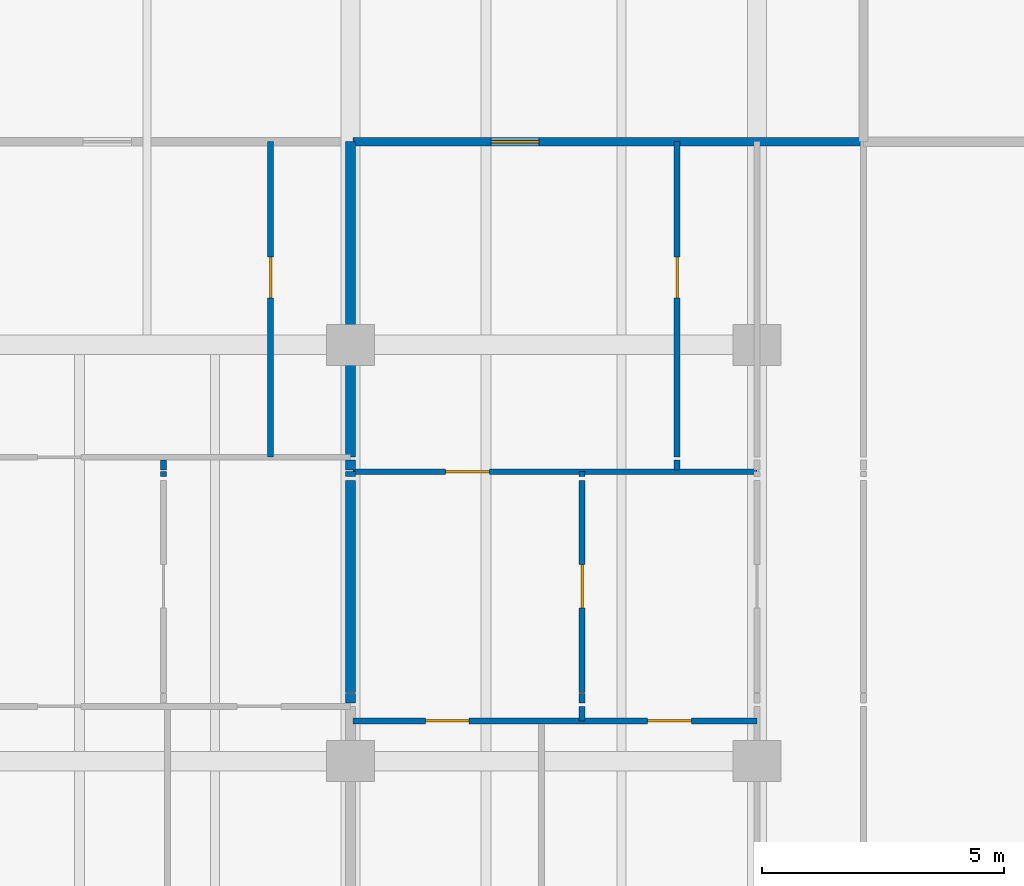
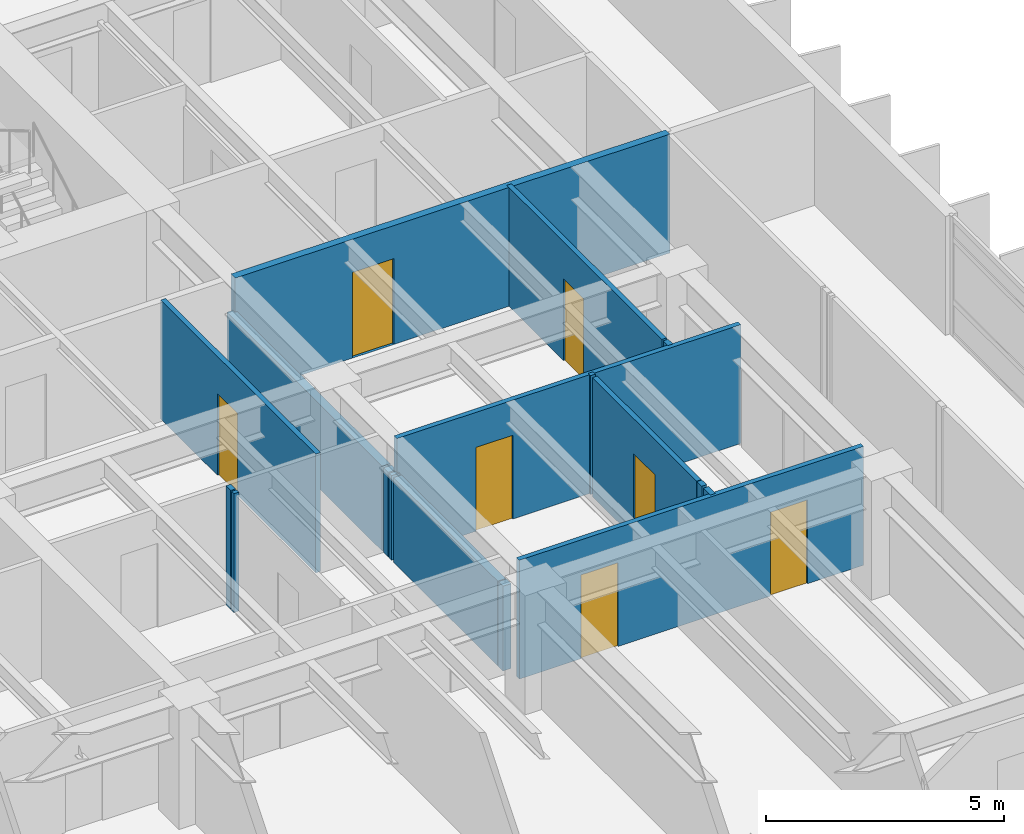
# One storey, part 11 of 20: 17 walls, 7 doors, 7 openings.
"""IFC4 building model written with IfcOpenShell, lengths in metres."""

from ifc_helpers import new_model, si_unit, direction, frame, frame_2d, origin, place, context, subcontext, project, spatial, rectangle, extrude, material, layer, layer_set, type_object, element, fill, save


model = new_model("IFC4")

# Units and contexts
model_context = context("Model", 3, precision=1e-05, world=origin(), true_north=direction((0.0, 1.0)))
body_context = subcontext(model_context, "Body", "Model", "MODEL_VIEW")
ifc_project = project(units=[si_unit("LENGTHUNIT", "METRE"), si_unit("AREAUNIT", "SQUARE_METRE"), si_unit("VOLUMEUNIT", "CUBIC_METRE"), si_unit("PLANEANGLEUNIT", "RADIAN"), si_unit("MASSUNIT", "GRAM", prefix="KILO")], contexts=[model_context])

# Site, building, storey
site_placement = place(None, origin())
site = spatial("IfcSite", under=ifc_project, at=site_placement, CompositionType="ELEMENT")
building_placement = place(site_placement, origin())
building = spatial("IfcBuilding", under=site, at=building_placement, Name="Caelmar Bay Residences", CompositionType="ELEMENT")
storey_placement = place(building_placement, frame((0.0, 0.0, 119.10009765625)))
storey = spatial("IfcBuildingStorey", under=building, at=storey_placement, Name="L32", CompositionType="ELEMENT", Elevation=119.10009765625)

# Wall, opening, door
ifc_material_1 = material(Name="Double-stud acoustic fire-rated gypsum partition 180 mm")
ifc_layer_1 = layer(ifc_material_1, 0.179931640625)
ifc_layer_set_1 = layer_set([ifc_layer_1], Name="Double-stud acoustic fire-rated gypsum partition 180 mm")
wall_type_1 = type_object("IfcWallType", Name="W-COR-200", PredefinedType="PARTITIONING", material=ifc_layer_set_1)
wall_1_placement = place(storey_placement, frame((59.550048828125, 33.60009765625, 0.0), z_axis=(0.0, 0.0, 1.0), x_axis=(1.0, 0.0, 0.0)))
wall_1 = element("IfcWall", 1, at=wall_1_placement, inside=storey, type_object=wall_type_1, Name="L32 Partition Wall H146", PredefinedType="PARTITIONING", context=body_context, shape_type="SweptSolid", body=[
    extrude(rectangle(XDim=10.550048828125, YDim=0.179931640625, at=frame_2d((5.27490234375, 0.0))), origin(), (0.0, 0.0, 1.0), 3.0498046875),
])
opening_1_placement = place(wall_1_placement, frame((2.85009765625, 0.0, 0.0)))
opening_1 = element("IfcOpeningElement", 2, at=opening_1_placement, cuts=wall_1, Name="Opening D-L32-157", PredefinedType="OPENING", context=body_context, shape_type="SweptSolid", body=[
    extrude(rectangle(XDim=1.0, YDim=2.199951171875, at=frame_2d((0.5, 1.10009765625))), frame((0.0, 0.099853515625, 0.0), z_axis=(0.0, -1.0, 0.0), x_axis=(1.0, 0.0, 0.0)), (0.0, 0.0, 1.0), 0.199951171875),
])
ifc_material_2 = material(Name="Fire-rated steel and walnut architectural door assembly", Category="steel")
ifc_layer_2 = layer(ifc_material_2, 0.050048828125)
ifc_layer_set_2 = layer_set([ifc_layer_2], Name="Fire-rated steel and walnut architectural door assembly")
door_type_1 = type_object("IfcDoorType", Name="D-UNIT-1000", OperationType="NOTDEFINED", PredefinedType="DOOR", material=ifc_layer_set_2)
door_1_placement = place(opening_1_placement, origin())
door_1 = element("IfcDoor", 3, at=door_1_placement, inside=storey, type_object=door_type_1, Name="L32 Residence 05 Apartment Hall Door", OperationType="SINGLE_SWING_LEFT", OverallHeight=2.199951171875, OverallWidth=1.0, PredefinedType="DOOR", context=body_context, shape_type="SweptSolid", body=[
    extrude(rectangle(XDim=1.0, YDim=2.199951171875, at=frame_2d((0.5, 1.10009765625))), frame((0.0, 0.02490234375, 0.0), z_axis=(0.0, -1.0, 0.0), x_axis=(1.0, 0.0, 0.0)), (0.0, 0.0, 1.0), 0.050048828125),
])
fill(opening_1, door_1)

# Walls
ifc_material_3 = material(Name="Acoustic metal-stud gypsum partition 120 mm")
ifc_layer_3 = layer(ifc_material_3, 0.1201171875)
ifc_layer_set_3 = layer_set([ifc_layer_3], Name="Acoustic metal-stud gypsum partition 120 mm")
wall_type_2 = type_object("IfcWallType", Name="W-PRT-120", PredefinedType="PARTITIONING", material=ifc_layer_set_3)
wall_2_placement = place(storey_placement, frame((55.635986328125, 26.679931640625, 0.0), z_axis=(0.0, 0.0, 1.0), x_axis=(0.0, 1.0, 0.0)))
element("IfcWall", 4, at=wall_2_placement, inside=storey, type_object=wall_type_2, Name="L32 Partition Wall V085", PredefinedType="PARTITIONING", context=body_context, shape_type="SweptSolid", body=[
    extrude(rectangle(XDim=0.10009765625, YDim=0.1201171875, at=frame_2d((0.050048828125, 0.0))), origin(), (0.0, 0.0, 1.0), 3.0498046875),
])
wall_3_placement = place(storey_placement, frame((55.635986328125, 26.820068359375, 0.0), z_axis=(0.0, 0.0, 1.0), x_axis=(0.0, 1.0, 0.0)))
element("IfcWall", 5, at=wall_3_placement, inside=storey, type_object=wall_type_2, Name="L32 Partition Wall V086", PredefinedType="PARTITIONING", context=body_context, shape_type="SweptSolid", body=[
    extrude(rectangle(XDim=0.199951171875, YDim=0.1201171875, at=frame_2d((0.10009765625, 0.0))), origin(), (0.0, 0.0, 1.0), 3.0498046875),
])

# Wall, opening, door
wall_4_placement = place(storey_placement, frame((57.85009765625, 27.080078125, 0.0), z_axis=(0.0, 0.0, 1.0), x_axis=(0.0, 1.0, 0.0)))
wall_4 = element("IfcWall", 6, at=wall_4_placement, inside=storey, type_object=wall_type_2, Name="L32 Partition Wall V090", PredefinedType="PARTITIONING", context=body_context, shape_type="SweptSolid", body=[
    extrude(rectangle(XDim=6.52001953125, YDim=0.1201171875, at=frame_2d((3.260009765625, 0.0))), origin(), (0.0, 0.0, 1.0), 3.0498046875),
])
opening_2_placement = place(wall_4_placement, frame((3.284912109375, 0.0, 0.0)))
opening_2 = element("IfcOpeningElement", 7, at=opening_2_placement, cuts=wall_4, Name="Opening D-L32-151", PredefinedType="OPENING", context=body_context, shape_type="SweptSolid", body=[
    extrude(rectangle(XDim=0.85009765625, YDim=2.10009765625, at=frame_2d((0.425048828125, 1.050048828125))), frame((0.0, 0.070068359375, 0.0), z_axis=(0.0, -1.0, 0.0), x_axis=(1.0, 0.0, 0.0)), (0.0, 0.0, 1.0), 0.14013671875),
])
ifc_material_4 = material(Name="Solid walnut timber interior door leaf and frame", Category="wood")
ifc_layer_4 = layer(ifc_material_4, 0.050048828125)
ifc_layer_set_4 = layer_set([ifc_layer_4], Name="Solid walnut timber interior door leaf and frame")
door_type_2 = type_object("IfcDoorType", Name="D-BATH-850", OperationType="NOTDEFINED", PredefinedType="DOOR", material=ifc_layer_set_4)
door_2_placement = place(opening_2_placement, origin())
door_2 = element("IfcDoor", 8, at=door_2_placement, inside=storey, type_object=door_type_2, Name="L32 Residence 04 Bathroom Door", OperationType="SINGLE_SWING_LEFT", OverallHeight=2.10009765625, OverallWidth=0.85009765625, PredefinedType="DOOR", context=body_context, shape_type="SweptSolid", body=[
    extrude(rectangle(XDim=0.85009765625, YDim=2.10009765625, at=frame_2d((0.425048828125, 1.050048828125))), frame((0.0, 0.02490234375, 0.0), z_axis=(0.0, -1.0, 0.0), x_axis=(1.0, 0.0, 0.0)), (0.0, 0.0, 1.0), 0.050048828125),
])
fill(opening_2, door_2)

# Walls
wall_5_placement = place(storey_placement, frame((64.285888671875, 21.6298828125, 0.0), z_axis=(0.0, 0.0, 1.0), x_axis=(0.0, 1.0, 0.0)))
element("IfcWall", 9, at=wall_5_placement, inside=storey, type_object=wall_type_2, Name="L32 Partition Wall V101", PredefinedType="PARTITIONING", context=body_context, shape_type="SweptSolid", body=[
    extrude(rectangle(XDim=0.300048828125, YDim=0.1201171875, at=frame_2d((0.14990234375, 0.0))), origin(), (0.0, 0.0, 1.0), 3.0498046875),
])
wall_6_placement = place(storey_placement, frame((64.285888671875, 22.0, 0.0), z_axis=(0.0, 0.0, 1.0), x_axis=(0.0, 1.0, 0.0)))
element("IfcWall", 10, at=wall_6_placement, inside=storey, type_object=wall_type_2, Name="L32 Partition Wall V102", PredefinedType="PARTITIONING", context=body_context, shape_type="SweptSolid", body=[
    extrude(rectangle(XDim=0.199951171875, YDim=0.1201171875, at=frame_2d((0.10009765625, 0.0))), origin(), (0.0, 0.0, 1.0), 3.0498046875),
])

# Wall, opening, door
wall_7_placement = place(storey_placement, frame((64.285888671875, 22.219970703125, 0.0), z_axis=(0.0, 0.0, 1.0), x_axis=(0.0, 1.0, 0.0)))
wall_7 = element("IfcWall", 11, at=wall_7_placement, inside=storey, type_object=wall_type_2, Name="L32 Partition Wall V103", PredefinedType="PARTITIONING", context=body_context, shape_type="SweptSolid", body=[
    extrude(rectangle(XDim=4.380126953125, YDim=0.1201171875, at=frame_2d((2.18994140625, 0.0))), origin(), (0.0, 0.0, 1.0), 3.0498046875),
])
opening_3_placement = place(wall_7_placement, frame((1.739990234375, 0.0, 0.0)))
opening_3 = element("IfcOpeningElement", 12, at=opening_3_placement, cuts=wall_7, Name="Opening D-L32-160", PredefinedType="OPENING", context=body_context, shape_type="SweptSolid", body=[
    extrude(rectangle(XDim=0.89990234375, YDim=2.14990234375, at=frame_2d((0.449951171875, 1.074951171875))), frame((0.0, 0.070068359375, 0.0), z_axis=(0.0, -1.0, 0.0), x_axis=(1.0, 0.0, 0.0)), (0.0, 0.0, 1.0), 0.14013671875),
])
ifc_layer_5 = layer(ifc_material_4, 0.050048828125)
ifc_layer_set_5 = layer_set([ifc_layer_5], Name="Solid walnut timber interior door leaf and frame")
door_type_3 = type_object("IfcDoorType", Name="D-ROOM-900", OperationType="NOTDEFINED", PredefinedType="DOOR", material=ifc_layer_set_5)
door_3_placement = place(opening_3_placement, origin())
door_3 = element("IfcDoor", 13, at=door_3_placement, inside=storey, type_object=door_type_3, Name="L32 Residence 05 Private Meeting Room Door", OperationType="SINGLE_SWING_RIGHT", OverallHeight=2.14990234375, OverallWidth=0.89990234375, PredefinedType="DOOR", context=body_context, shape_type="SweptSolid", body=[
    extrude(rectangle(XDim=0.89990234375, YDim=2.14990234375, at=frame_2d((0.449951171875, 1.074951171875))), frame((0.0, 0.02490234375, 0.0), z_axis=(0.0, -1.0, 0.0), x_axis=(1.0, 0.0, 0.0)), (0.0, 0.0, 1.0), 0.050048828125),
])
fill(opening_3, door_3)

# Walls
wall_8_placement = place(storey_placement, frame((64.285888671875, 26.679931640625, 0.0), z_axis=(0.0, 0.0, 1.0), x_axis=(0.0, 1.0, 0.0)))
element("IfcWall", 14, at=wall_8_placement, inside=storey, type_object=wall_type_2, Name="L32 Partition Wall V104", PredefinedType="PARTITIONING", context=body_context, shape_type="SweptSolid", body=[
    extrude(rectangle(XDim=0.10009765625, YDim=0.1201171875, at=frame_2d((0.050048828125, 0.0))), origin(), (0.0, 0.0, 1.0), 3.0498046875),
])
wall_9_placement = place(storey_placement, frame((66.25, 26.820068359375, 0.0), z_axis=(0.0, 0.0, 1.0), x_axis=(0.0, 1.0, 0.0)))
element("IfcWall", 15, at=wall_9_placement, inside=storey, type_object=wall_type_2, Name="L32 Partition Wall V105", PredefinedType="PARTITIONING", context=body_context, shape_type="SweptSolid", body=[
    extrude(rectangle(XDim=0.199951171875, YDim=0.1201171875, at=frame_2d((0.10009765625, 0.0))), origin(), (0.0, 0.0, 1.0), 3.0498046875),
])

# Wall, opening, door
wall_10_placement = place(storey_placement, frame((66.25, 27.080078125, 0.0), z_axis=(0.0, 0.0, 1.0), x_axis=(0.0, 1.0, 0.0)))
wall_10 = element("IfcWall", 16, at=wall_10_placement, inside=storey, type_object=wall_type_2, Name="L32 Partition Wall V106", PredefinedType="PARTITIONING", context=body_context, shape_type="SweptSolid", body=[
    extrude(rectangle(XDim=6.52001953125, YDim=0.1201171875, at=frame_2d((3.260009765625, 0.0))), origin(), (0.0, 0.0, 1.0), 3.0498046875),
])
opening_4_placement = place(wall_10_placement, frame((3.284912109375, 0.0, 0.0)))
opening_4 = element("IfcOpeningElement", 17, at=opening_4_placement, cuts=wall_10, Name="Opening D-L32-158", PredefinedType="OPENING", context=body_context, shape_type="SweptSolid", body=[
    extrude(rectangle(XDim=0.85009765625, YDim=2.10009765625, at=frame_2d((0.425048828125, 1.050048828125))), frame((0.0, 0.070068359375, 0.0), z_axis=(0.0, -1.0, 0.0), x_axis=(1.0, 0.0, 0.0)), (0.0, 0.0, 1.0), 0.14013671875),
])
door_4_placement = place(opening_4_placement, origin())
door_4 = element("IfcDoor", 18, at=door_4_placement, inside=storey, type_object=door_type_2, Name="L32 Residence 05 Bathroom Door", OperationType="SINGLE_SWING_RIGHT", OverallHeight=2.10009765625, OverallWidth=0.85009765625, PredefinedType="DOOR", context=body_context, shape_type="SweptSolid", body=[
    extrude(rectangle(XDim=0.85009765625, YDim=2.10009765625, at=frame_2d((0.425048828125, 1.050048828125))), frame((0.0, 0.02490234375, 0.0), z_axis=(0.0, -1.0, 0.0), x_axis=(1.0, 0.0, 0.0)), (0.0, 0.0, 1.0), 0.050048828125),
])
fill(opening_4, door_4)

# Wall, openings, doors
wall_11_placement = place(storey_placement, frame((59.550048828125, 21.6298828125, 0.0), z_axis=(0.0, 0.0, 1.0), x_axis=(1.0, 0.0, 0.0)))
wall_11 = element("IfcWall", 19, at=wall_11_placement, inside=storey, type_object=wall_type_2, Name="L32 Partition Wall H130", PredefinedType="PARTITIONING", context=body_context, shape_type="SweptSolid", body=[
    extrude(rectangle(XDim=8.349853515625, YDim=0.1201171875, at=frame_2d((4.1748046875, 0.0))), origin(), (0.0, 0.0, 1.0), 3.0498046875),
])
opening_5_placement = place(wall_11_placement, frame((1.4990234375, 0.0, 0.0)))
opening_5 = element("IfcOpeningElement", 20, at=opening_5_placement, cuts=wall_11, Name="Opening D-L32-161", PredefinedType="OPENING", context=body_context, shape_type="SweptSolid", body=[
    extrude(rectangle(XDim=0.89990234375, YDim=2.14990234375, at=frame_2d((0.449951171875, 1.074951171875))), frame((0.0, 0.070068359375, 0.0), z_axis=(0.0, -1.0, 0.0), x_axis=(1.0, 0.0, 0.0)), (0.0, 0.0, 1.0), 0.14013671875),
])
opening_6_placement = place(wall_11_placement, frame((6.093017578125, 0.0, 0.0)))
opening_6 = element("IfcOpeningElement", 21, at=opening_6_placement, cuts=wall_11, Name="Opening D-L32-162", PredefinedType="OPENING", context=body_context, shape_type="SweptSolid", body=[
    extrude(rectangle(XDim=0.89990234375, YDim=2.14990234375, at=frame_2d((0.449951171875, 1.074951171875))), frame((0.0, 0.070068359375, 0.0), z_axis=(0.0, -1.0, 0.0), x_axis=(1.0, 0.0, 0.0)), (0.0, 0.0, 1.0), 0.14013671875),
])
door_5_placement = place(opening_5_placement, origin())
door_5 = element("IfcDoor", 22, at=door_5_placement, inside=storey, type_object=door_type_3, Name="L32 Residence 05 Living Room Door", OperationType="SINGLE_SWING_LEFT", OverallHeight=2.14990234375, OverallWidth=0.89990234375, PredefinedType="DOOR", context=body_context, shape_type="SweptSolid", body=[
    extrude(rectangle(XDim=0.89990234375, YDim=2.14990234375, at=frame_2d((0.449951171875, 1.074951171875))), frame((0.0, 0.02490234375, 0.0), z_axis=(0.0, -1.0, 0.0), x_axis=(1.0, 0.0, 0.0)), (0.0, 0.0, 1.0), 0.050048828125),
])
fill(opening_5, door_5)
door_6_placement = place(opening_6_placement, origin())
door_6 = element("IfcDoor", 23, at=door_6_placement, inside=storey, type_object=door_type_3, Name="L32 Residence 05 Penthouse Sitting Room Door", OperationType="SINGLE_SWING_RIGHT", OverallHeight=2.14990234375, OverallWidth=0.89990234375, PredefinedType="DOOR", context=body_context, shape_type="SweptSolid", body=[
    extrude(rectangle(XDim=0.89990234375, YDim=2.14990234375, at=frame_2d((0.449951171875, 1.074951171875))), frame((0.0, 0.02490234375, 0.0), z_axis=(0.0, -1.0, 0.0), x_axis=(1.0, 0.0, 0.0)), (0.0, 0.0, 1.0), 0.050048828125),
])
fill(opening_6, door_6)

# Wall, opening, door
wall_12_placement = place(storey_placement, frame((59.550048828125, 26.780029296875, 0.0), z_axis=(0.0, 0.0, 1.0), x_axis=(1.0, 0.0, 0.0)))
wall_12 = element("IfcWall", 24, at=wall_12_placement, inside=storey, type_object=wall_type_2, Name="L32 Partition Wall H138", PredefinedType="PARTITIONING", context=body_context, shape_type="SweptSolid", body=[
    extrude(rectangle(XDim=8.349853515625, YDim=0.1201171875, at=frame_2d((4.1748046875, 0.0))), origin(), (0.0, 0.0, 1.0), 3.0498046875),
])
opening_7_placement = place(wall_12_placement, frame((1.91796875, 0.0, 0.0)))
opening_7 = element("IfcOpeningElement", 25, at=opening_7_placement, cuts=wall_12, Name="Opening D-L32-159", PredefinedType="OPENING", context=body_context, shape_type="SweptSolid", body=[
    extrude(rectangle(XDim=0.89990234375, YDim=2.14990234375, at=frame_2d((0.449951171875, 1.074951171875))), frame((0.0, 0.070068359375, 0.0), z_axis=(0.0, -1.0, 0.0), x_axis=(1.0, 0.0, 0.0)), (0.0, 0.0, 1.0), 0.14013671875),
])
door_7_placement = place(opening_7_placement, origin())
door_7 = element("IfcDoor", 26, at=door_7_placement, inside=storey, type_object=door_type_3, Name="L32 Residence 05 Kitchen Door", OperationType="SINGLE_SWING_LEFT", OverallHeight=2.14990234375, OverallWidth=0.89990234375, PredefinedType="DOOR", context=body_context, shape_type="SweptSolid", body=[
    extrude(rectangle(XDim=0.89990234375, YDim=2.14990234375, at=frame_2d((0.449951171875, 1.074951171875))), frame((0.0, 0.02490234375, 0.0), z_axis=(0.0, -1.0, 0.0), x_axis=(1.0, 0.0, 0.0)), (0.0, 0.0, 1.0), 0.050048828125),
])
fill(opening_7, door_7)

# Walls
ifc_material_5 = material(Name="Acoustic twin-stud fire-rated inter-tenancy partition 200 mm")
ifc_layer_6 = layer(ifc_material_5, 0.199951171875)
ifc_layer_set_6 = layer_set([ifc_layer_6], Name="Acoustic twin-stud fire-rated inter-tenancy partition 200 mm")
wall_type_3 = type_object("IfcWallType", Name="W-PTY-200", PredefinedType="PARTITIONING", material=ifc_layer_set_6)
wall_13_placement = place(storey_placement, frame((59.5, 22.0, 0.0), z_axis=(0.0, 0.0, 1.0), x_axis=(0.0, 1.0, 0.0)))
element("IfcWall", 27, at=wall_13_placement, inside=storey, type_object=wall_type_3, Name="L32 Partition Wall V093", PredefinedType="PARTITIONING", context=body_context, shape_type="SweptSolid", body=[
    extrude(rectangle(XDim=0.199951171875, YDim=0.199951171875, at=frame_2d((0.10009765625, 0.0))), origin(), (0.0, 0.0, 1.0), 2.173828125),
])
wall_14_placement = place(storey_placement, frame((59.5, 22.219970703125, 0.0), z_axis=(0.0, 0.0, 1.0), x_axis=(0.0, 1.0, 0.0)))
element("IfcWall", 28, at=wall_14_placement, inside=storey, type_object=wall_type_3, Name="L32 Partition Wall V094", PredefinedType="PARTITIONING", context=body_context, shape_type="SweptSolid", body=[
    extrude(rectangle(XDim=4.380126953125, YDim=0.199951171875, at=frame_2d((2.18994140625, 0.0))), origin(), (0.0, 0.0, 1.0), 2.173828125),
])
wall_15_placement = place(storey_placement, frame((59.5, 26.679931640625, 0.0), z_axis=(0.0, 0.0, 1.0), x_axis=(0.0, 1.0, 0.0)))
element("IfcWall", 29, at=wall_15_placement, inside=storey, type_object=wall_type_3, Name="L32 Partition Wall V095", PredefinedType="PARTITIONING", context=body_context, shape_type="SweptSolid", body=[
    extrude(rectangle(XDim=0.10009765625, YDim=0.199951171875, at=frame_2d((0.050048828125, 0.0))), origin(), (0.0, 0.0, 1.0), 2.173828125),
])
wall_16_placement = place(storey_placement, frame((59.5, 26.820068359375, 0.0), z_axis=(0.0, 0.0, 1.0), x_axis=(0.0, 1.0, 0.0)))
element("IfcWall", 30, at=wall_16_placement, inside=storey, type_object=wall_type_3, Name="L32 Partition Wall V096", PredefinedType="PARTITIONING", context=body_context, shape_type="SweptSolid", body=[
    extrude(rectangle(XDim=0.199951171875, YDim=0.199951171875, at=frame_2d((0.10009765625, 0.0))), origin(), (0.0, 0.0, 1.0), 2.173828125),
])
wall_17_placement = place(storey_placement, frame((59.5, 27.080078125, 0.0), z_axis=(0.0, 0.0, 1.0), x_axis=(0.0, 1.0, 0.0)))
element("IfcWall", 31, at=wall_17_placement, inside=storey, type_object=wall_type_3, Name="L32 Partition Wall V097", PredefinedType="PARTITIONING", context=body_context, shape_type="SweptSolid", body=[
    extrude(rectangle(XDim=6.52001953125, YDim=0.199951171875, at=frame_2d((3.260009765625, 0.0))), origin(), (0.0, 0.0, 1.0), 2.173828125),
])

save(model, "model.ifc")
